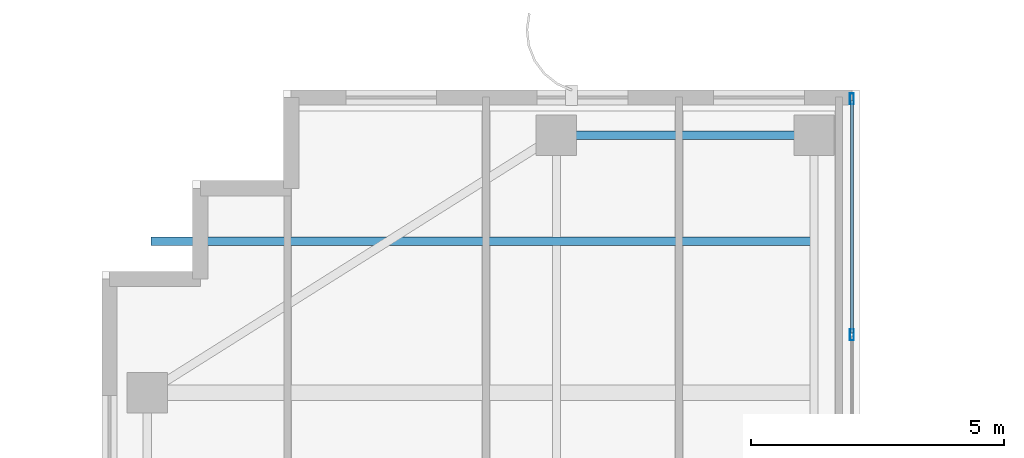
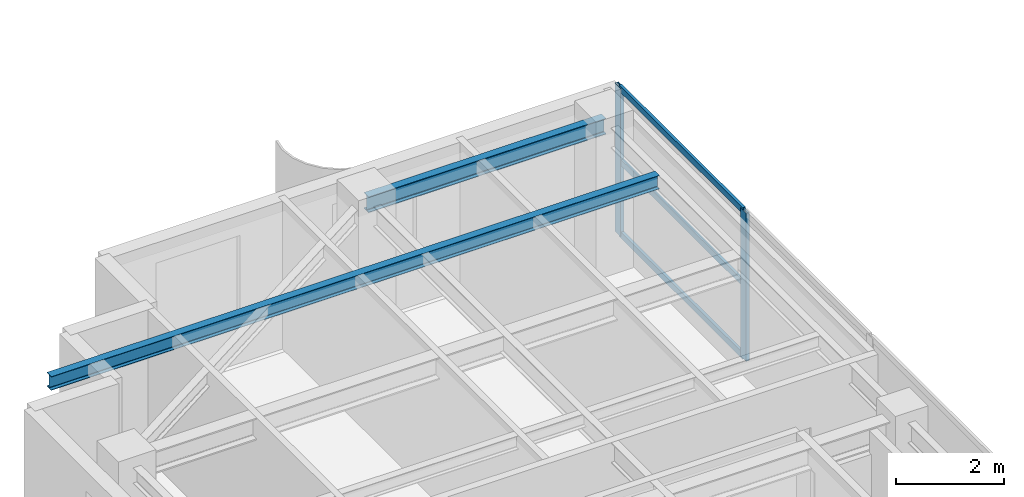
# One storey, part 15 of 24: 5 members, 2 beams, 1 element without a shape of its own.
"""IFC4 building model written with IfcOpenShell, lengths in metres."""

from ifc_helpers import new_model, si_unit, direction, frame, origin, origin_2d, place, context, subcontext, project, spatial, hollow_rectangle, i_section, extrude, source, transform, mapped, material, layer, layer_set, material_profile, profile_set, type_object, element, aggregate, save


model = new_model("IFC4")

# Units and contexts
model_context = context("Model", 3, precision=1e-05, world=origin(), true_north=direction((0.0, 1.0)))
body_context = subcontext(model_context, "Body", "Model", "MODEL_VIEW")
ifc_project = project(units=[si_unit("LENGTHUNIT", "METRE"), si_unit("AREAUNIT", "SQUARE_METRE"), si_unit("VOLUMEUNIT", "CUBIC_METRE"), si_unit("PLANEANGLEUNIT", "RADIAN"), si_unit("MASSUNIT", "GRAM", prefix="KILO")], contexts=[model_context])

# Site, building, storey
site_placement = place(None, origin())
site = spatial("IfcSite", under=ifc_project, at=site_placement, CompositionType="ELEMENT")
building_placement = place(site_placement, origin())
building = spatial("IfcBuilding", under=site, at=building_placement, Name="Khoralis Quay Care Tower", CompositionType="ELEMENT")
storey_placement = place(building_placement, frame((0.0, 0.0, 238.5)))
storey = spatial("IfcBuildingStorey", under=building, at=storey_placement, Name="L62", CompositionType="ELEMENT", Elevation=238.5)

# Beams
ifc_material_1 = material(Name="Steel S355", Category="steel")
ifc_material_profile_1 = material_profile(ifc_material_1, i_section(OverallWidth=0.169921875, OverallDepth=0.360107421875, WebThickness=0.008056640625, FlangeThickness=0.0126953125, FilletRadius=0.01806640625, at=origin_2d()), Name="Steel S355")
ifc_profile_set_1 = profile_set([ifc_material_profile_1], Name="Steel S355")
beam_type_1 = type_object("IfcBeamType", Name="BM-IPE360", PredefinedType="SPANDREL", material=ifc_profile_set_1)
shared_shape_1 = source(origin(), body_context, "Body", "SweptSolid", [
    extrude(i_section(OverallWidth=0.169921875, OverallDepth=0.360107421875, WebThickness=0.008056640625, FlangeThickness=0.0126953125, FilletRadius=0.01806640625, at=origin_2d()), origin(), (0.0, 0.0, 1.0), 5.10009765625),
])
beam_1_placement = place(storey_placement, frame((12.0, 41.10009765625, 3.179931640625), z_axis=(1.0, 0.0, 0.0), x_axis=(0.0, 1.0, 0.0)))
element("IfcBeam", 1, at=beam_1_placement, inside=storey, type_object=beam_type_1, Name="BM-TSP-L62-03", PredefinedType="SPANDREL", context=body_context, shape_type="MappedRepresentation", body=[
    mapped(shared_shape_1, transform((0.0, 0.0, 0.0), scale=1.0)),
])
ifc_material_profile_2 = material_profile(ifc_material_1, i_section(OverallWidth=0.1650390625, OverallDepth=0.31005859375, WebThickness=0.005859375, FlangeThickness=0.009765625, FilletRadius=0.011962890625, at=origin_2d()), Name="Steel S355")
ifc_profile_set_2 = profile_set([ifc_material_profile_2], Name="Steel S355")
beam_type_2 = type_object("IfcBeamType", Name="BM-W310X39", PredefinedType="JOIST", material=ifc_profile_set_2)
shared_shape_2 = source(origin(), body_context, "Body", "SweptSolid", [
    extrude(i_section(OverallWidth=0.1650390625, OverallDepth=0.31005859375, WebThickness=0.005859375, FlangeThickness=0.009765625, FilletRadius=0.011962890625, at=origin_2d()), origin(), (0.0, 0.0, 1.0), 13.06396484375),
])
beam_2_placement = place(storey_placement, frame((3.970947265625, 39.0, 3.205078125), z_axis=(1.0, 0.0, 0.0), x_axis=(0.0, 1.0, 0.0)))
element("IfcBeam", 2, at=beam_2_placement, inside=storey, type_object=beam_type_2, Name="BM-TJS-L62-21", PredefinedType="JOIST", context=body_context, shape_type="MappedRepresentation", body=[
    mapped(shared_shape_2, transform((0.0, 0.0, 0.0), scale=1.0)),
])

# Curtain wall, members
ifc_material_2 = material(Name="Pale anodised aluminium", Category="aluminium")
ifc_layer = layer(ifc_material_2, 0.18994140625)
ifc_layer_set = layer_set([ifc_layer], Name="Pale anodised aluminium")
curtain_wall_type = type_object("IfcCurtainWallType", Name="CW-SYS-PORTAL", PredefinedType="NOTDEFINED", material=ifc_layer_set)
curtain_wall_placement = place(storey_placement, origin())
curtain_wall = element("IfcCurtainWall", 3, at=curtain_wall_placement, inside=storey, type_object=curtain_wall_type, Name="L62 Unitised Curtain Wall CW-VP-L62-P1-N", PredefinedType="NOTDEFINED")
ifc_material_profile_3 = material_profile(ifc_material_2, hollow_rectangle(XDim=0.06005859375, YDim=0.139892578125, WallThickness=0.00390625, at=origin_2d()), Name="Pale anodised aluminium")
ifc_profile_set_3 = profile_set([ifc_material_profile_3], Name="Pale anodised aluminium")
member_type_1 = type_object("IfcMemberType", Name="CW-TRN-140", PredefinedType="USERDEFINED", material=ifc_profile_set_3)
shared_shape_3 = source(origin(), body_context, "Body", "SweptSolid", [
    extrude(hollow_rectangle(XDim=0.06005859375, YDim=0.139892578125, WallThickness=0.00390625, at=origin_2d()), origin(), (0.0, 0.0, 1.0), 4.610107421875),
])
member_1_placement = place(storey_placement, frame((17.85009765625, 37.179931640625, 0.030029296875), z_axis=(0.0, 1.0, 0.0), x_axis=(-1.0, 0.0, 0.0)))
member_1 = element("IfcMember", 4, at=member_1_placement, type_object=member_type_1, Name="CW4 transom 3.1", ObjectType="TRANSOM", PredefinedType="USERDEFINED", context=body_context, shape_type="MappedRepresentation", body=[
    mapped(shared_shape_3, transform((0.0, 0.0, 0.0), scale=1.0)),
])
member_2_placement = place(storey_placement, frame((17.85009765625, 37.179931640625, 1.679931640625), z_axis=(0.0, 1.0, 0.0), x_axis=(-1.0, 0.0, 0.0)))
member_2 = element("IfcMember", 5, at=member_2_placement, type_object=member_type_1, Name="CW4 transom 3.2", ObjectType="TRANSOM", PredefinedType="USERDEFINED", context=body_context, shape_type="MappedRepresentation", body=[
    mapped(shared_shape_3, transform((0.0, 0.0, 0.0), scale=1.0)),
])
member_3_placement = place(storey_placement, frame((17.85009765625, 37.179931640625, 3.330078125), z_axis=(0.0, 1.0, 0.0), x_axis=(-1.0, 0.0, 0.0)))
member_3 = element("IfcMember", 6, at=member_3_placement, type_object=member_type_1, Name="CW4 transom 3.3", ObjectType="TRANSOM", PredefinedType="USERDEFINED", context=body_context, shape_type="MappedRepresentation", body=[
    mapped(shared_shape_3, transform((0.0, 0.0, 0.0), scale=1.0)),
])
ifc_material_profile_4 = material_profile(ifc_material_2, hollow_rectangle(XDim=0.074951171875, YDim=0.219970703125, WallThickness=0.00390625, at=origin_2d()), Name="Pale anodised aluminium")
ifc_profile_set_4 = profile_set([ifc_material_profile_4], Name="Pale anodised aluminium")
member_type_2 = type_object("IfcMemberType", Name="CW-MUL-220", PredefinedType="MULLION", material=ifc_profile_set_4)
shared_shape_4 = source(origin(), body_context, "Body", "SweptSolid", [
    extrude(hollow_rectangle(XDim=0.074951171875, YDim=0.219970703125, WallThickness=0.00390625, at=origin_2d()), origin(), (0.0, 0.0, 1.0), 3.360107421875),
])
member_4_placement = place(storey_placement, frame((17.85009765625, 37.14990234375, 0.0), z_axis=(0.0, 0.0, 1.0), x_axis=(-1.0, 0.0, 0.0)))
member_4 = element("IfcMember", 7, at=member_4_placement, type_object=member_type_2, Name="CW4 mullion 3", PredefinedType="MULLION", context=body_context, shape_type="MappedRepresentation", body=[
    mapped(shared_shape_4, transform((0.0, 0.0, 0.0), scale=1.0)),
])
member_5_placement = place(storey_placement, frame((17.85009765625, 41.820068359375, 0.0), z_axis=(0.0, 0.0, 1.0), x_axis=(-1.0, 0.0, 0.0)))
member_5 = element("IfcMember", 8, at=member_5_placement, type_object=member_type_2, Name="CW4 mullion 4", PredefinedType="MULLION", context=body_context, shape_type="MappedRepresentation", body=[
    mapped(shared_shape_4, transform((0.0, 0.0, 0.0), scale=1.0)),
])
aggregate(curtain_wall, [member_4, member_5, member_1, member_2, member_3])

save(model, "model.ifc")
